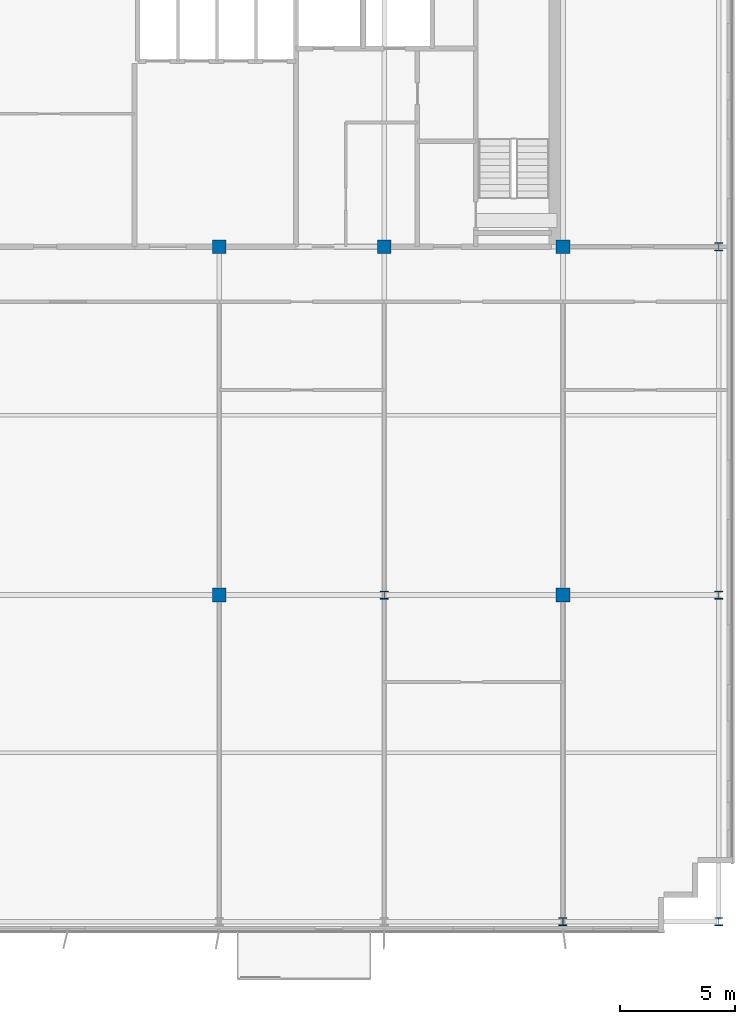
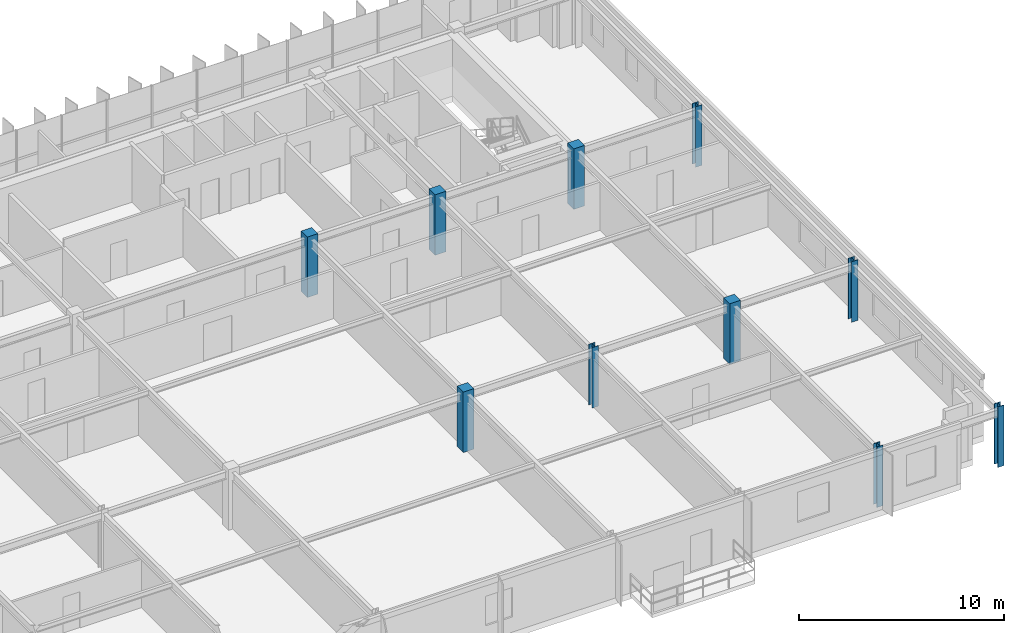
# One storey, part 2 of 21: 10 columns.
"""IFC4 building model written with IfcOpenShell, lengths in metres."""

from ifc_helpers import new_model, si_unit, direction, frame, origin, origin_2d, place, context, subcontext, project, spatial, rectangle, i_section, extrude, source, transform, mapped, material, material_profile, profile_set, type_object, element, save


model = new_model("IFC4")

# Units and contexts
model_context = context("Model", 3, precision=1e-05, world=origin(), true_north=direction((0.0, 1.0)))
body_context = subcontext(model_context, "Body", "Model", "MODEL_VIEW")
ifc_project = project(units=[si_unit("LENGTHUNIT", "METRE"), si_unit("AREAUNIT", "SQUARE_METRE"), si_unit("VOLUMEUNIT", "CUBIC_METRE"), si_unit("PLANEANGLEUNIT", "RADIAN"), si_unit("MASSUNIT", "GRAM", prefix="KILO")], contexts=[model_context])

# Site, building, storey
site_placement = place(None, origin())
site = spatial("IfcSite", under=ifc_project, at=site_placement, CompositionType="ELEMENT")
building_placement = place(site_placement, origin())
building = spatial("IfcBuilding", under=site, at=building_placement, Name="Trelvane Seafront Commons", CompositionType="ELEMENT")
storey_placement = place(building_placement, frame((0.0, 0.0, 248.699951171875)))
storey = spatial("IfcBuildingStorey", under=building, at=storey_placement, Name="L64", CompositionType="ELEMENT", Elevation=248.699951171875)

# Columns
ifc_material_1 = material(Name="Steel SM355 (S355)", Category="steel")
ifc_material_profile_1 = material_profile(ifc_material_1, i_section(OverallWidth=0.35009765625, OverallDepth=0.35009765625, WebThickness=0.01806640625, FlangeThickness=0.028076171875, at=origin_2d()), Name="HD-350x350x18x28")
ifc_profile_set_1 = profile_set([ifc_material_profile_1], Name="Steel SM355 (S355)")
column_type_1 = type_object("IfcColumnType", Name="STR-COL-HD350", PredefinedType="COLUMN", material=ifc_profile_set_1)
shared_shape_1 = source(origin(), body_context, "Body", "SweptSolid", [
    extrude(i_section(OverallWidth=0.35009765625, OverallDepth=0.35009765625, WebThickness=0.01806640625, FlangeThickness=0.028076171875, at=origin_2d()), origin(), (0.0, 0.0, 1.0), 3.60009765625),
])
for number, where, z_axis, x_axis, name in (
    (1, (51.0, 18.199951171875, 0.0), (0.0, 0.0, 1.0), (1.0, 0.0, 0.0), "L64 Column TC-M51.0"),
    (2, (58.800048828125, 3.949951171875, 0.0), (0.0, 0.0, 1.0), (1.0, 0.0, 0.0), "L64 Column TC-S58.8"),
    (3, (65.60009765625, 3.949951171875, 0.0), (0.0, 0.0, 1.0), (1.0, 0.0, 0.0), "L64 Column TC-S65.6"),
    (4, (65.60009765625, 18.199951171875, 0.0), (0.0, 0.0, 1.0), (1.0, 0.0, 0.0), "L64 Column TC-M65.6"),
    (5, (65.60009765625, 33.39990234375, 0.0), (0.0, 0.0, 1.0), (1.0, 0.0, 0.0), "L64 Column TC-CS65.6"),
):
    element("IfcColumn", number, at=place(storey_placement, frame(where, z_axis=z_axis, x_axis=x_axis)), inside=storey, type_object=column_type_1, Name=name, PredefinedType="COLUMN", context=body_context, shape_type="MappedRepresentation", body=[
        mapped(shared_shape_1, transform((0.0, 0.0, 0.0), x_axis=(1.0, 0.0, 0.0), y_axis=(0.0, 1.0, 0.0), z_axis=(0.0, 0.0, 1.0), scale=1.0)),
    ])
ifc_material_2 = material(Name="Concrete C50/60", Category="concrete")
ifc_material_profile_2 = material_profile(ifc_material_2, rectangle(XDim=0.60009765625, YDim=0.60009765625, at=origin_2d()), Name="RC-600x600")
ifc_profile_set_2 = profile_set([ifc_material_profile_2], Name="Concrete C50/60")
column_type_2 = type_object("IfcColumnType", Name="STR-COL-RC600", PredefinedType="COLUMN", material=ifc_profile_set_2)
shared_shape_2 = source(origin(), body_context, "Body", "SweptSolid", [
    extrude(rectangle(XDim=0.60009765625, YDim=0.60009765625, at=origin_2d()), origin(), (0.0, 0.0, 1.0), 3.60009765625),
])
for number, where, z_axis, x_axis, name in (
    (6, (43.800048828125, 18.199951171875, 0.0), (0.0, 0.0, 1.0), (1.0, 0.0, 0.0), "L64 Column TC-M43.8"),
    (7, (43.800048828125, 33.39990234375, 0.0), (0.0, 0.0, 1.0), (1.0, 0.0, 0.0), "L64 Column TC-CS43.8"),
    (8, (51.0, 33.39990234375, 0.0), (0.0, 0.0, 1.0), (1.0, 0.0, 0.0), "L64 Column TC-CS51.0"),
    (9, (58.800048828125, 18.199951171875, 0.0), (0.0, 0.0, 1.0), (1.0, 0.0, 0.0), "L64 Column TC-M58.8"),
    (10, (58.800048828125, 33.39990234375, 0.0), (0.0, 0.0, 1.0), (1.0, 0.0, 0.0), "L64 Column TC-CS58.8"),
):
    element("IfcColumn", number, at=place(storey_placement, frame(where, z_axis=z_axis, x_axis=x_axis)), inside=storey, type_object=column_type_2, Name=name, PredefinedType="COLUMN", context=body_context, shape_type="MappedRepresentation", body=[
        mapped(shared_shape_2, transform((0.0, 0.0, 0.0), x_axis=(1.0, 0.0, 0.0), y_axis=(0.0, 1.0, 0.0), z_axis=(0.0, 0.0, 1.0), scale=1.0)),
    ])

save(model, "model.ifc")
